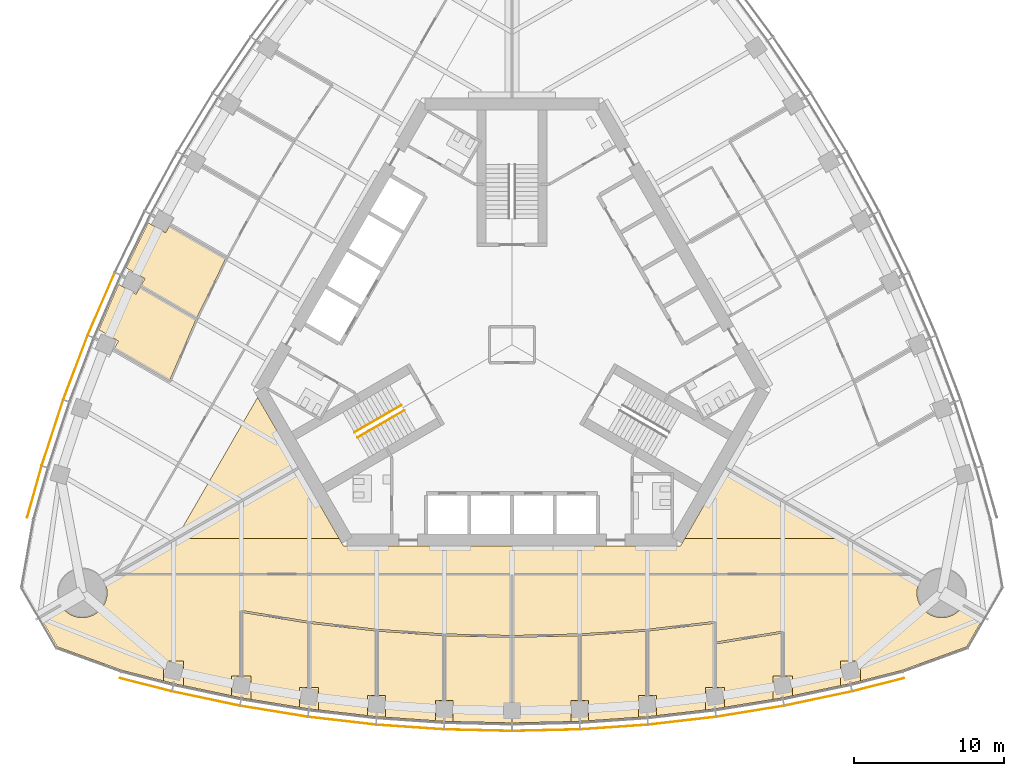
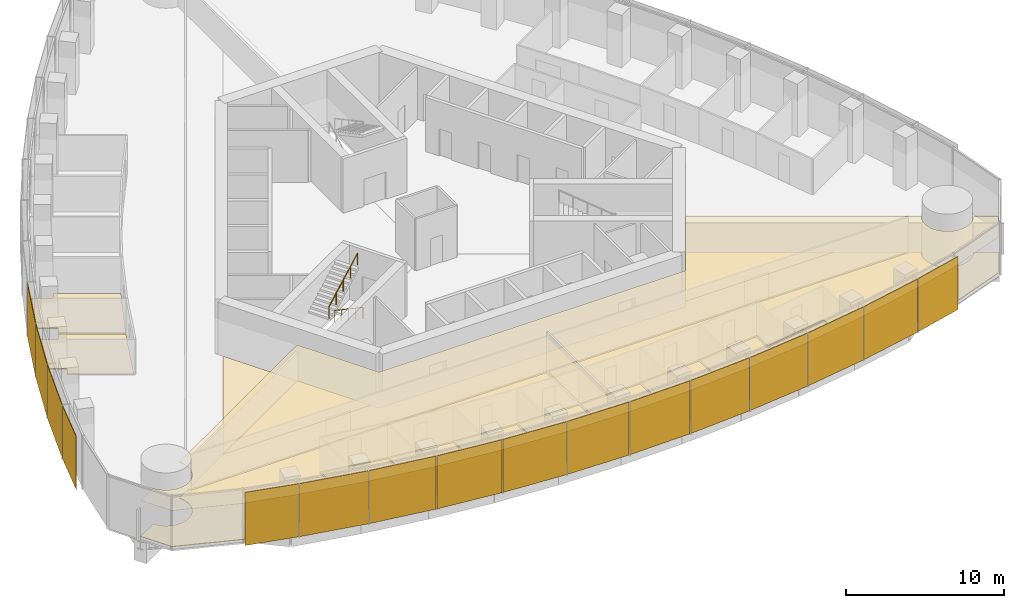
# One storey, part 16 of 20: 17 coverings, 16 shading devices, 2 railings.
"""IFC4 building model written with IfcOpenShell, lengths in metres."""

from ifc_helpers import new_model, si_unit, direction, frame, origin, origin_2d, place, context, subcontext, project, spatial, polyline, rectangle, circle, outline, extrude, material, layer, layer_set, type_object, element, save


model = new_model("IFC4")

# Units and contexts
model_context = context("Model", 3, precision=1e-05, world=origin(), true_north=direction((0.0, 1.0)))
body_context = subcontext(model_context, "Body", "Model", "MODEL_VIEW")
ifc_project = project(units=[si_unit("LENGTHUNIT", "METRE"), si_unit("AREAUNIT", "SQUARE_METRE"), si_unit("VOLUMEUNIT", "CUBIC_METRE"), si_unit("PLANEANGLEUNIT", "RADIAN"), si_unit("MASSUNIT", "GRAM", prefix="KILO")], contexts=[model_context])

# Site, building, storey
site_placement = place(None, origin())
site = spatial("IfcSite", under=ifc_project, at=site_placement, CompositionType="ELEMENT")
building_placement = place(site_placement, origin())
building = spatial("IfcBuilding", under=site, at=building_placement, Name="Trefoil Bronze Tower", CompositionType="ELEMENT")
storey_placement = place(building_placement, frame((0.0, 0.0, 214.89990234375)))
storey = spatial("IfcBuildingStorey", under=building, at=storey_placement, Name="L49", CompositionType="ELEMENT", Elevation=214.89990234375)

# Shading devices
ifc_material_1 = material(Name="Perforated bronze sheet", Category="bronze")
ifc_layer_1 = layer(ifc_material_1, 0.0400390625)
ifc_layer_set_1 = layer_set([ifc_layer_1], Name="Bronze solar screen panel")
shading_device_type = type_object("IfcShadingDeviceType", Name="Bronze solar screen panel", PredefinedType="SHUTTER", material=ifc_layer_set_1)
shading_device_1_placement = place(storey_placement, frame((-24.360107421875, -22.614501953125, 0.050048828125), z_axis=(0.0, 0.0, 1.0), x_axis=(0.968934035393, -0.247319297786, 0.0)))
element("IfcShadingDevice", 1, at=shading_device_1_placement, inside=storey, type_object=shading_device_type, Name="Solar screen CW-A L49 F1 bay 1", PredefinedType="SHUTTER", context=body_context, shape_type="SweptSolid", body=[
    extrude(rectangle(XDim=3.53369140625, YDim=0.0400390625, at=origin_2d()), origin(), (0.0, 0.0, 1.0), 4.10009765625),
])
shading_device_2_placement = place(storey_placement, frame((-20.361572265625, -23.535888671875, 0.050048828125), z_axis=(0.0, 0.0, 1.0), x_axis=(0.978394335897, -0.20674748725, 0.0)))
element("IfcShadingDevice", 2, at=shading_device_2_placement, inside=storey, type_object=shading_device_type, Name="Solar screen CW-A L49 F1 bay 2", PredefinedType="SHUTTER", context=body_context, shape_type="SweptSolid", body=[
    extrude(rectangle(XDim=4.5693359375, YDim=0.0400390625, at=origin_2d()), origin(), (0.0, 0.0, 1.0), 4.10009765625),
])
shading_device_3_placement = place(storey_placement, frame((-15.8369140625, -24.382568359375, 0.050048828125), z_axis=(0.0, 0.0, 1.0), x_axis=(0.986986549528, -0.160802832848, 0.0)))
element("IfcShadingDevice", 3, at=shading_device_3_placement, inside=storey, type_object=shading_device_type, Name="Solar screen CW-A L49 F1 bay 3", PredefinedType="SHUTTER", context=body_context, shape_type="SweptSolid", body=[
    extrude(rectangle(XDim=4.529296875, YDim=0.0400390625, at=origin_2d()), origin(), (0.0, 0.0, 1.0), 4.10009765625),
])
shading_device_4_placement = place(storey_placement, frame((-11.31201171875, -25.0126953125, 0.050048828125), z_axis=(0.0, 0.0, 1.0), x_axis=(0.993381831741, -0.114858767043, 0.0)))
element("IfcShadingDevice", 4, at=shading_device_4_placement, inside=storey, type_object=shading_device_type, Name="Solar screen CW-A L49 F1 bay 4", PredefinedType="SHUTTER", context=body_context, shape_type="SweptSolid", body=[
    extrude(rectangle(XDim=4.5, YDim=0.0400390625, at=origin_2d()), origin(), (0.0, 0.0, 1.0), 4.10009765625),
])
shading_device_5_placement = place(storey_placement, frame((-6.787109375, -25.430419921875, 0.050048828125), z_axis=(0.0, 0.0, 1.0), x_axis=(0.99762252804, -0.068915103905, 0.0)))
element("IfcShadingDevice", 5, at=shading_device_5_placement, inside=storey, type_object=shading_device_type, Name="Solar screen CW-A L49 F1 bay 5", PredefinedType="SHUTTER", context=body_context, shape_type="SweptSolid", body=[
    extrude(rectangle(XDim=4.480712890625, YDim=0.0400390625, at=origin_2d()), origin(), (0.0, 0.0, 1.0), 4.10009765625),
])
for number, where, z_axis, x_axis, name in (
    (6, (-2.262451171875, -25.638671875, 0.050048828125), (0.0, 0.0, 1.0), (0.999736116243, -0.022971675577, 0.0), "Solar screen CW-A L49 F1 bay 6"),
    (7, (2.262451171875, -25.638671875, 0.050048828125), (0.0, 0.0, 1.0), (0.999736116243, 0.022971675577, 0.0), "Solar screen CW-A L49 F1 bay 7"),
):
    element("IfcShadingDevice", number, at=place(storey_placement, frame(where, z_axis=z_axis, x_axis=x_axis)), inside=storey, type_object=shading_device_type, Name=name, PredefinedType="SHUTTER", context=body_context, shape_type="SweptSolid", body=[
        extrude(rectangle(XDim=4.47119140625, YDim=0.0400390625, at=origin_2d()), origin(), (0.0, 0.0, 1.0), 4.10009765625),
    ])
shading_device_6_placement = place(storey_placement, frame((6.787109375, -25.430419921875, 0.050048828125), z_axis=(0.0, 0.0, 1.0), x_axis=(0.99762252804, 0.068915103905, 0.0)))
element("IfcShadingDevice", 8, at=shading_device_6_placement, inside=storey, type_object=shading_device_type, Name="Solar screen CW-A L49 F1 bay 8", PredefinedType="SHUTTER", context=body_context, shape_type="SweptSolid", body=[
    extrude(rectangle(XDim=4.480712890625, YDim=0.0400390625, at=origin_2d()), origin(), (0.0, 0.0, 1.0), 4.10009765625),
])
shading_device_7_placement = place(storey_placement, frame((11.31201171875, -25.0126953125, 0.050048828125), z_axis=(0.0, 0.0, 1.0), x_axis=(0.993381831741, 0.114858767043, 0.0)))
element("IfcShadingDevice", 9, at=shading_device_7_placement, inside=storey, type_object=shading_device_type, Name="Solar screen CW-A L49 F1 bay 9", PredefinedType="SHUTTER", context=body_context, shape_type="SweptSolid", body=[
    extrude(rectangle(XDim=4.5, YDim=0.0400390625, at=origin_2d()), origin(), (0.0, 0.0, 1.0), 4.10009765625),
])
shading_device_8_placement = place(storey_placement, frame((15.8369140625, -24.382568359375, 0.050048828125), z_axis=(0.0, 0.0, 1.0), x_axis=(0.986986549528, 0.160802832848, 0.0)))
element("IfcShadingDevice", 10, at=shading_device_8_placement, inside=storey, type_object=shading_device_type, Name="Solar screen CW-A L49 F1 bay 10", PredefinedType="SHUTTER", context=body_context, shape_type="SweptSolid", body=[
    extrude(rectangle(XDim=4.529296875, YDim=0.0400390625, at=origin_2d()), origin(), (0.0, 0.0, 1.0), 4.10009765625),
])
shading_device_9_placement = place(storey_placement, frame((20.361572265625, -23.535888671875, 0.050048828125), z_axis=(0.0, 0.0, 1.0), x_axis=(0.978394335897, 0.20674748725, 0.0)))
element("IfcShadingDevice", 11, at=shading_device_9_placement, inside=storey, type_object=shading_device_type, Name="Solar screen CW-A L49 F1 bay 11", PredefinedType="SHUTTER", context=body_context, shape_type="SweptSolid", body=[
    extrude(rectangle(XDim=4.5693359375, YDim=0.0400390625, at=origin_2d()), origin(), (0.0, 0.0, 1.0), 4.10009765625),
])
shading_device_10_placement = place(storey_placement, frame((24.360107421875, -22.614501953125, 0.050048828125), z_axis=(0.0, 0.0, 1.0), x_axis=(0.968934035393, 0.247319297786, 0.0)))
element("IfcShadingDevice", 12, at=shading_device_10_placement, inside=storey, type_object=shading_device_type, Name="Solar screen CW-A L49 F1 bay 12", PredefinedType="SHUTTER", context=body_context, shape_type="SweptSolid", body=[
    extrude(rectangle(XDim=3.53369140625, YDim=0.0400390625, at=origin_2d()), origin(), (0.0, 0.0, 1.0), 4.10009765625),
])
shading_device_11_placement = place(storey_placement, frame((-27.317626953125, 2.709716796875, 0.050048828125), z_axis=(0.0, 0.0, 1.0), x_axis=(-0.397220305764, -0.917723285467, 0.0)))
element("IfcShadingDevice", 13, at=shading_device_11_placement, inside=storey, type_object=shading_device_type, Name="Solar screen CW-A L49 F3 bay 9", PredefinedType="SHUTTER", context=body_context, shape_type="SweptSolid", body=[
    extrude(rectangle(XDim=4.5, YDim=0.0400390625, at=origin_2d()), origin(), (0.0, 0.0, 1.0), 4.10009765625),
])
shading_device_12_placement = place(storey_placement, frame((-29.0341796875, -1.52392578125, 0.050048828125), z_axis=(0.0, 0.0, 1.0), x_axis=(-0.354233936517, -0.935156841508, 0.0)))
element("IfcShadingDevice", 14, at=shading_device_12_placement, inside=storey, type_object=shading_device_type, Name="Solar screen CW-A L49 F3 bay 10", PredefinedType="SHUTTER", context=body_context, shape_type="SweptSolid", body=[
    extrude(rectangle(XDim=4.529296875, YDim=0.0400390625, at=origin_2d()), origin(), (0.0, 0.0, 1.0), 4.10009765625),
])
shading_device_13_placement = place(storey_placement, frame((-30.5634765625, -5.86572265625, 0.050048828125), z_axis=(0.0, 0.0, 1.0), x_axis=(-0.310148591821, -0.950688093431, 0.0)))
element("IfcShadingDevice", 15, at=shading_device_13_placement, inside=storey, type_object=shading_device_type, Name="Solar screen CW-A L49 F3 bay 11", PredefinedType="SHUTTER", context=body_context, shape_type="SweptSolid", body=[
    extrude(rectangle(XDim=4.5693359375, YDim=0.0400390625, at=origin_2d()), origin(), (0.0, 0.0, 1.0), 4.10009765625),
])
shading_device_14_placement = place(storey_placement, frame((-31.764892578125, -9.7890625, 0.050048828125), z_axis=(0.0, 0.0, 1.0), x_axis=(-0.270282222968, -0.962781138134, 0.0)))
element("IfcShadingDevice", 16, at=shading_device_14_placement, inside=storey, type_object=shading_device_type, Name="Solar screen CW-A L49 F3 bay 12", PredefinedType="SHUTTER", context=body_context, shape_type="SweptSolid", body=[
    extrude(rectangle(XDim=3.53369140625, YDim=0.0400390625, at=origin_2d()), origin(), (0.0, 0.0, 1.0), 4.10009765625),
])

# Railings
ifc_material_2 = material(Name="Steel handrail", Category="steel")
railing_type = type_object("IfcRailingType", Name="Handrail 900", PredefinedType="HANDRAIL", material=ifc_material_2)
railing_1_placement = place(storey_placement, frame((-7.166015625, -4.3681640625, 0.16162109375)))
element("IfcRailing", 17, at=railing_1_placement, inside=storey, type_object=railing_type, Name="Handrail ST3 flight 1 L49", PredefinedType="HANDRAIL", context=body_context, shape_type="SweptSolid", body=[
    extrude(circle(Radius=0.02392578125, at=origin_2d()), frame((0.0, 0.0, 0.8759765625), z_axis=(-0.76250339821, -0.440245697338, 0.474101564745), x_axis=(0.500012057535, -0.866018442252, 0.0)), (0.0, 0.0, 1.0), 4.088623046875),
    extrude(circle(Radius=0.02099609375, at=origin_2d()), origin(), (0.0, 0.0, 1.0), 0.851806640625),
    extrude(circle(Radius=0.02099609375, at=origin_2d()), frame((-0.779296875, -0.449951171875, 0.484619140625)), (0.0, 0.0, 1.0), 0.851806640625),
    extrude(circle(Radius=0.02099609375, at=origin_2d()), frame((-1.558837890625, -0.89990234375, 0.96923828125)), (0.0, 0.0, 1.0), 0.851806640625),
    extrude(circle(Radius=0.02099609375, at=origin_2d()), frame((-2.33837890625, -1.35009765625, 1.453857421875)), (0.0, 0.0, 1.0), 0.851806640625),
    extrude(circle(Radius=0.02099609375, at=origin_2d()), frame((-3.11767578125, -1.800048828125, 1.9384765625)), (0.0, 0.0, 1.0), 0.851806640625),
])
railing_2_placement = place(storey_placement, frame((-10.483642578125, -5.82177734375, 2.26171875)))
element("IfcRailing", 18, at=railing_2_placement, inside=storey, type_object=railing_type, Name="Handrail ST3 flight 2 L49", PredefinedType="HANDRAIL", context=body_context, shape_type="SweptSolid", body=[
    extrude(circle(Radius=0.02392578125, at=origin_2d()), frame((0.0, 0.0, 0.8759765625), z_axis=(0.76250339821, 0.440245697338, 0.474101564745), x_axis=(-0.500012057535, 0.866018442252, 0.0)), (0.0, 0.0, 1.0), 4.088623046875),
    extrude(circle(Radius=0.02099609375, at=origin_2d()), origin(), (0.0, 0.0, 1.0), 0.851806640625),
    extrude(circle(Radius=0.02099609375, at=origin_2d()), frame((0.779296875, 0.449951171875, 0.484619140625)), (0.0, 0.0, 1.0), 0.851806640625),
    extrude(circle(Radius=0.02099609375, at=origin_2d()), frame((1.558837890625, 0.89990234375, 0.96923828125)), (0.0, 0.0, 1.0), 0.851806640625),
    extrude(circle(Radius=0.02099609375, at=origin_2d()), frame((2.33837890625, 1.35009765625, 1.453857421875)), (0.0, 0.0, 1.0), 0.851806640625),
    extrude(circle(Radius=0.02099609375, at=origin_2d()), frame((3.11767578125, 1.800048828125, 1.9384765625)), (0.0, 0.0, 1.0), 0.851806640625),
])

# Coverings
ifc_material_3 = material(Name="Acoustic ceiling panels", Category="mineral fibre")
ifc_layer_2 = layer(ifc_material_3, 0.02001953125)
ifc_layer_set_2 = layer_set([ifc_layer_2], Name="Office ceiling 20")
covering_type_1 = type_object("IfcCoveringType", Name="Office ceiling 20", PredefinedType="CEILING", material=ifc_layer_set_2)
covering_1_placement = place(storey_placement, frame((0.0, 0.0, 2.900146484375)))
element("IfcCovering", 19, at=covering_1_placement, inside=storey, type_object=covering_type_1, Name="Ceiling L49 Open-plan office F1", PredefinedType="CEILING", context=body_context, shape_type="SweptSolid", body=[
    extrude(outline(polyline([(-29.95068359375, -17.416748046875), (-29.904052734375, -17.48291015625), (-29.854248046875, -17.546630859375), (-29.801513671875, -17.608154296875), (-29.74560546875, -17.666748046875), (-29.68701171875, -17.72265625), (-29.62548828125, -17.775390625), (-29.561767578125, -17.8251953125), (-29.49560546875, -17.871826171875), (-29.427001953125, -17.915283203125), (-29.356689453125, -17.955078125), (-29.2841796875, -17.99169921875), (-29.210205078125, -18.0244140625), (-29.134765625, -18.053466796875), (-29.057861328125, -18.0791015625), (-28.979736328125, -18.1005859375), (-28.900634765625, -18.118408203125), (-28.82080078125, -18.132080078125), (-28.740478515625, -18.14208984375), (-28.659912109375, -18.14794921875), (-28.578857421875, -18.14990234375), (-28.497802734375, -18.14794921875), (-28.4169921875, -18.14208984375), (-28.336669921875, -18.132080078125), (-28.2568359375, -18.118408203125), (-28.177978515625, -18.1005859375), (-28.099853515625, -18.0791015625), (-28.02294921875, -18.053466796875), (-27.947509765625, -18.0244140625), (-27.873291015625, -17.99169921875), (-27.801025390625, -17.955078125), (-27.730712890625, -17.915283203125), (-27.662109375, -17.871826171875), (-27.595947265625, -17.8251953125), (-27.531982421875, -17.775390625), (-27.470703125, -17.72265625), (-27.412109375, -17.666748046875), (-27.356201171875, -17.608154296875), (-27.303466796875, -17.546630859375), (-27.25341796875, -17.48291015625), (-27.206787109375, -17.416748046875), (-27.16357421875, -17.348388671875), (-27.123779296875, -17.27783203125), (-27.08740234375, -17.20556640625), (-27.054443359375, -17.13134765625), (-27.025390625, -17.055908203125), (-27.0, -16.97900390625), (-26.978271484375, -16.90087890625), (-26.96044921875, -16.822021484375), (-26.94677734375, -16.7421875), (-26.936767578125, -16.66162109375), (-26.930908203125, -16.5810546875), (-26.9287109375, -16.5), (-26.930908203125, -16.4189453125), (-26.936767578125, -16.33837890625), (-26.94677734375, -16.2578125), (-26.96044921875, -16.177978515625), (-26.978271484375, -16.09912109375), (-27.0, -16.02099609375), (-27.025390625, -15.944091796875), (-27.054443359375, -15.86865234375), (-27.08740234375, -15.79443359375), (-27.123779296875, -15.72216796875), (-27.14453125, -15.685546875), (-14.19970703125, -8.205322265625), (-11.20068359375, -13.39990234375), (11.20068359375, -13.39990234375), (14.19970703125, -8.205322265625), (27.14453125, -15.685546875), (27.123779296875, -15.72216796875), (27.08740234375, -15.79443359375), (27.054443359375, -15.86865234375), (27.025390625, -15.944091796875), (27.0, -16.02099609375), (26.978271484375, -16.09912109375), (26.96044921875, -16.177978515625), (26.94677734375, -16.2578125), (26.936767578125, -16.33837890625), (26.930908203125, -16.4189453125), (26.9287109375, -16.5), (26.930908203125, -16.5810546875), (26.936767578125, -16.66162109375), (26.94677734375, -16.7421875), (26.96044921875, -16.822021484375), (26.978271484375, -16.90087890625), (27.0, -16.97900390625), (27.025390625, -17.055908203125), (27.054443359375, -17.13134765625), (27.08740234375, -17.20556640625), (27.123779296875, -17.27783203125), (27.16357421875, -17.348388671875), (27.206787109375, -17.416748046875), (27.25341796875, -17.48291015625), (27.303466796875, -17.546630859375), (27.356201171875, -17.608154296875), (27.412109375, -17.666748046875), (27.470703125, -17.72265625), (27.531982421875, -17.775390625), (27.595947265625, -17.8251953125), (27.662109375, -17.871826171875), (27.730712890625, -17.915283203125), (27.801025390625, -17.955078125), (27.873291015625, -17.99169921875), (27.947509765625, -18.0244140625), (28.02294921875, -18.053466796875), (28.099853515625, -18.0791015625), (28.177978515625, -18.1005859375), (28.2568359375, -18.118408203125), (28.336669921875, -18.132080078125), (28.4169921875, -18.14208984375), (28.497802734375, -18.14794921875), (28.578857421875, -18.14990234375), (28.659912109375, -18.14794921875), (28.740478515625, -18.14208984375), (28.82080078125, -18.132080078125), (28.900634765625, -18.118408203125), (28.979736328125, -18.1005859375), (29.057861328125, -18.0791015625), (29.134765625, -18.053466796875), (29.210205078125, -18.0244140625), (29.2841796875, -17.99169921875), (29.356689453125, -17.955078125), (29.427001953125, -17.915283203125), (29.49560546875, -17.871826171875), (29.561767578125, -17.8251953125), (29.62548828125, -17.775390625), (29.68701171875, -17.72265625), (29.74560546875, -17.666748046875), (29.801513671875, -17.608154296875), (29.854248046875, -17.546630859375), (29.904052734375, -17.48291015625), (29.95068359375, -17.416748046875), (30.0009765625, -17.336181640625), (31.37158203125, -18.1279296875), (30.23828125, -20.0908203125), (25.952880859375, -21.650634765625), (22.5, -22.531982421875), (18.0, -23.48291015625), (13.5, -24.216064453125), (9.0, -24.736328125), (4.5, -25.047119140625), (0.0, -25.150634765625), (-4.5, -25.047119140625), (-9.0, -24.736328125), (-13.5, -24.216064453125), (-18.0, -23.48291015625), (-22.5, -22.531982421875), (-25.952880859375, -21.650634765625), (-30.23828125, -20.0908203125), (-31.37158203125, -18.1279296875), (-30.0009765625, -17.336181640625), (-29.95068359375, -17.416748046875)])), origin(), (0.0, 0.0, 1.0), 0.02001953125),
])
ifc_material_4 = material(Name="Raised access floor panels", Category="steel")
ifc_layer_3 = layer(ifc_material_4, 0.050048828125)
ifc_layer_set_3 = layer_set([ifc_layer_3], Name="Raised access floor 150")
covering_type_2 = type_object("IfcCoveringType", Name="Raised access floor 150", PredefinedType="FLOORING", material=ifc_layer_set_3)
covering_2_placement = place(storey_placement, frame((0.0, 0.0, 0.10009765625)))
element("IfcCovering", 20, at=covering_2_placement, inside=storey, type_object=covering_type_2, Name="Raised floor L49 Office F1", PredefinedType="FLOORING", context=body_context, shape_type="SweptSolid", body=[
    extrude(outline(polyline([(-17.93994140625, -22.026123046875), (-17.93994140625, -17.803466796875), (-13.56005859375, -18.51708984375), (-13.56005859375, -22.78662109375), (-14.12158203125, -22.78662109375), (-14.12158203125, -24.11474609375), (-17.357177734375, -23.587646484375), (-17.357177734375, -22.026123046875), (-17.93994140625, -22.026123046875)])), origin(), (0.0, 0.0, 1.0), 0.050048828125),
])
covering_3_placement = place(storey_placement, frame((0.0, 0.0, 0.10009765625)))
element("IfcCovering", 21, at=covering_3_placement, inside=storey, type_object=covering_type_2, Name="Raised floor L49 Office F1", PredefinedType="FLOORING", context=body_context, shape_type="SweptSolid", body=[
    extrude(outline(polyline([(-13.43994140625, -22.78662109375), (-13.43994140625, -18.533447265625), (-9.06005859375, -19.039794921875), (-9.06005859375, -23.333740234375), (-9.599365234375, -23.333740234375), (-9.599365234375, -24.6669921875), (-12.87841796875, -24.2880859375), (-12.87841796875, -22.78662109375), (-13.43994140625, -22.78662109375)])), origin(), (0.0, 0.0, 1.0), 0.050048828125),
])
covering_4_placement = place(storey_placement, frame((0.0, 0.0, 0.10009765625)))
element("IfcCovering", 22, at=covering_4_placement, inside=storey, type_object=covering_type_2, Name="Raised floor L49 Office F1", PredefinedType="FLOORING", context=body_context, shape_type="SweptSolid", body=[
    extrude(outline(polyline([(-8.93994140625, -23.333740234375), (-8.93994140625, -19.05078125), (-4.56005859375, -19.353271484375), (-4.56005859375, -23.665771484375), (-4.5, -23.665771484375), (-4.5, -23.670654296875), (-5.07568359375, -23.670654296875), (-5.07568359375, -25.007568359375), (-8.400634765625, -24.77783203125), (-8.400634765625, -23.333740234375), (-8.93994140625, -23.333740234375)])), origin(), (0.0, 0.0, 1.0), 0.050048828125),
])
covering_5_placement = place(storey_placement, frame((0.0, 0.0, 0.10009765625)))
element("IfcCovering", 23, at=covering_5_placement, inside=storey, type_object=covering_type_2, Name="Raised floor L49 Office F1", PredefinedType="FLOORING", context=body_context, shape_type="SweptSolid", body=[
    extrude(outline(polyline([(-4.5, -23.665771484375), (-4.43994140625, -23.665771484375), (-4.43994140625, -19.358642578125), (-0.074951171875, -19.458984375), (-0.074951171875, -23.7705078125), (0.0, -23.7705078125), (0.0, -25.150634765625), (-3.92431640625, -25.060546875), (-3.92431640625, -23.670654296875), (-4.5, -23.670654296875), (-4.5, -23.665771484375)])), origin(), (0.0, 0.0, 1.0), 0.050048828125),
])
covering_6_placement = place(storey_placement, frame((0.0, 0.0, 0.10009765625)))
element("IfcCovering", 24, at=covering_6_placement, inside=storey, type_object=covering_type_2, Name="Raised floor L49 Office F1", PredefinedType="FLOORING", context=body_context, shape_type="SweptSolid", body=[
    extrude(outline(polyline([(0.0, -23.7705078125), (0.074951171875, -23.7705078125), (0.074951171875, -19.458984375), (4.43994140625, -19.358642578125), (4.43994140625, -23.665771484375), (4.5, -23.665771484375), (4.5, -23.670654296875), (3.92431640625, -23.670654296875), (3.92431640625, -25.060546875), (0.0, -25.150634765625), (0.0, -23.7705078125)])), origin(), (0.0, 0.0, 1.0), 0.050048828125),
])
covering_7_placement = place(storey_placement, frame((0.0, 0.0, 0.10009765625)))
element("IfcCovering", 25, at=covering_7_placement, inside=storey, type_object=covering_type_2, Name="Raised floor L49 Meeting room F1", PredefinedType="FLOORING", context=body_context, shape_type="SweptSolid", body=[
    extrude(outline(polyline([(4.5, -23.665771484375), (4.56005859375, -23.665771484375), (4.56005859375, -19.353271484375), (8.93994140625, -19.05078125), (8.93994140625, -23.333740234375), (8.400634765625, -23.333740234375), (8.400634765625, -24.77783203125), (5.07568359375, -25.007568359375), (5.07568359375, -23.670654296875), (4.5, -23.670654296875), (4.5, -23.665771484375)])), origin(), (0.0, 0.0, 1.0), 0.050048828125),
])
covering_8_placement = place(storey_placement, frame((0.0, 0.0, 0.10009765625)))
element("IfcCovering", 26, at=covering_8_placement, inside=storey, type_object=covering_type_2, Name="Raised floor L49 Meeting room F1", PredefinedType="FLOORING", context=body_context, shape_type="SweptSolid", body=[
    extrude(outline(polyline([(9.06005859375, -19.039794921875), (13.43994140625, -18.533447265625), (13.43994140625, -22.78662109375), (12.87841796875, -22.78662109375), (12.87841796875, -24.2880859375), (9.599365234375, -24.6669921875), (9.599365234375, -23.333740234375), (9.06005859375, -23.333740234375), (9.06005859375, -19.039794921875)])), origin(), (0.0, 0.0, 1.0), 0.050048828125),
])
covering_9_placement = place(storey_placement, frame((0.0, 0.0, 0.10009765625)))
element("IfcCovering", 27, at=covering_9_placement, inside=storey, type_object=covering_type_2, Name="Raised floor L49 Pantry F1", PredefinedType="FLOORING", context=body_context, shape_type="SweptSolid", body=[
    extrude(outline(polyline([(13.56005859375, -19.897216796875), (17.93994140625, -19.18359375), (17.93994140625, -22.026123046875), (17.357177734375, -22.026123046875), (17.357177734375, -23.587646484375), (14.12158203125, -24.11474609375), (14.12158203125, -22.78662109375), (13.56005859375, -22.78662109375), (13.56005859375, -19.897216796875)])), origin(), (0.0, 0.0, 1.0), 0.050048828125),
])
covering_10_placement = place(storey_placement, frame((0.0, 0.0, 0.10009765625)))
element("IfcCovering", 28, at=covering_10_placement, inside=storey, type_object=covering_type_2, Name="Raised floor L49 Corridor F1", PredefinedType="FLOORING", context=body_context, shape_type="SweptSolid", body=[
    extrude(outline(polyline([(26.304443359375, -15.199951171875), (-26.304443359375, -15.199951171875), (-22.32421875, -12.89990234375), (-11.4892578125, -12.89990234375), (-11.20068359375, -13.39990234375), (11.20068359375, -13.39990234375), (11.4892578125, -12.89990234375), (22.32421875, -12.89990234375), (26.304443359375, -15.199951171875)])), origin(), (0.0, 0.0, 1.0), 0.050048828125),
])
covering_11_placement = place(storey_placement, frame((0.0, 0.0, 0.10009765625)))
element("IfcCovering", 29, at=covering_11_placement, inside=storey, type_object=covering_type_2, Name="Raised floor L49 Open-plan office F1", PredefinedType="FLOORING", context=body_context, shape_type="SweptSolid", body=[
    extrude(outline(polyline([(18.06005859375, -19.11279296875), (18.0, -19.11279296875), (17.990478515625, -19.0537109375), (13.56005859375, -19.775390625), (13.56005859375, -18.466064453125), (13.5, -18.466064453125), (13.4931640625, -18.406494140625), (8.994384765625, -18.926513671875), (4.497314453125, -19.2373046875), (0.074951171875, -19.3388671875), (0.074951171875, -15.320068359375), (26.398193359375, -15.320068359375), (26.398193359375, -15.254150390625), (27.14453125, -15.685546875), (27.123779296875, -15.72216796875), (27.08740234375, -15.79443359375), (27.054443359375, -15.86865234375), (27.025390625, -15.944091796875), (27.0, -16.02099609375), (26.978271484375, -16.09912109375), (26.96044921875, -16.177978515625), (26.94677734375, -16.2578125), (26.936767578125, -16.33837890625), (26.930908203125, -16.4189453125), (26.9287109375, -16.5), (26.930908203125, -16.5810546875), (26.936767578125, -16.66162109375), (26.94677734375, -16.7421875), (26.96044921875, -16.822021484375), (26.978271484375, -16.90087890625), (27.0, -16.97900390625), (27.025390625, -17.055908203125), (27.054443359375, -17.13134765625), (27.08740234375, -17.20556640625), (27.123779296875, -17.27783203125), (27.16357421875, -17.348388671875), (27.206787109375, -17.416748046875), (27.25341796875, -17.48291015625), (27.303466796875, -17.546630859375), (27.356201171875, -17.608154296875), (27.412109375, -17.666748046875), (27.470703125, -17.72265625), (27.531982421875, -17.775390625), (27.595947265625, -17.8251953125), (27.662109375, -17.871826171875), (27.730712890625, -17.915283203125), (27.801025390625, -17.955078125), (27.873291015625, -17.99169921875), (27.947509765625, -18.0244140625), (28.02294921875, -18.053466796875), (28.099853515625, -18.0791015625), (28.177978515625, -18.1005859375), (28.2568359375, -18.118408203125), (28.336669921875, -18.132080078125), (28.4169921875, -18.14208984375), (28.497802734375, -18.14794921875), (28.578857421875, -18.14990234375), (28.659912109375, -18.14794921875), (28.740478515625, -18.14208984375), (28.82080078125, -18.132080078125), (28.900634765625, -18.118408203125), (28.979736328125, -18.1005859375), (29.057861328125, -18.0791015625), (29.134765625, -18.053466796875), (29.210205078125, -18.0244140625), (29.2841796875, -17.99169921875), (29.356689453125, -17.955078125), (29.427001953125, -17.915283203125), (29.49560546875, -17.871826171875), (29.561767578125, -17.8251953125), (29.62548828125, -17.775390625), (29.68701171875, -17.72265625), (29.74560546875, -17.666748046875), (29.801513671875, -17.608154296875), (29.854248046875, -17.546630859375), (29.904052734375, -17.48291015625), (29.95068359375, -17.416748046875), (30.0009765625, -17.336181640625), (31.37158203125, -18.1279296875), (30.23828125, -20.0908203125), (25.952880859375, -21.650634765625), (23.16162109375, -22.363037109375), (23.16162109375, -21.048828125), (21.83837890625, -21.048828125), (21.83837890625, -22.671875), (18.642822265625, -23.34716796875), (18.642822265625, -22.026123046875), (18.06005859375, -22.026123046875), (18.06005859375, -19.11279296875)])), origin(), (0.0, 0.0, 1.0), 0.050048828125),
])
covering_12_placement = place(storey_placement, frame((0.0, 0.0, 0.10009765625)))
element("IfcCovering", 30, at=covering_12_placement, inside=storey, type_object=covering_type_2, Name="Raised floor L49 Open-plan office F1", PredefinedType="FLOORING", context=body_context, shape_type="SweptSolid", body=[
    extrude(outline(polyline([(-27.025390625, -15.944091796875), (-27.054443359375, -15.86865234375), (-27.08740234375, -15.79443359375), (-27.123779296875, -15.72216796875), (-27.14453125, -15.685546875), (-26.398193359375, -15.254150390625), (-26.398193359375, -15.320068359375), (-0.074951171875, -15.320068359375), (-0.074951171875, -19.3388671875), (-4.497314453125, -19.2373046875), (-8.994384765625, -18.926513671875), (-13.49169921875, -18.406494140625), (-17.990478515625, -17.673583984375), (-18.0, -17.73291015625), (-18.06005859375, -17.73291015625), (-18.06005859375, -22.026123046875), (-18.642822265625, -22.026123046875), (-18.642822265625, -23.34716796875), (-21.83837890625, -22.671875), (-21.83837890625, -21.048828125), (-23.16162109375, -21.048828125), (-23.16162109375, -22.363037109375), (-25.952880859375, -21.650634765625), (-30.23828125, -20.0908203125), (-31.37158203125, -18.1279296875), (-30.0009765625, -17.336181640625), (-29.95068359375, -17.416748046875), (-29.904052734375, -17.48291015625), (-29.854248046875, -17.546630859375), (-29.801513671875, -17.608154296875), (-29.74560546875, -17.666748046875), (-29.68701171875, -17.72265625), (-29.62548828125, -17.775390625), (-29.561767578125, -17.8251953125), (-29.49560546875, -17.871826171875), (-29.427001953125, -17.915283203125), (-29.356689453125, -17.955078125), (-29.2841796875, -17.99169921875), (-29.210205078125, -18.0244140625), (-29.134765625, -18.053466796875), (-29.057861328125, -18.0791015625), (-28.979736328125, -18.1005859375), (-28.900634765625, -18.118408203125), (-28.82080078125, -18.132080078125), (-28.740478515625, -18.14208984375), (-28.659912109375, -18.14794921875), (-28.578857421875, -18.14990234375), (-28.497802734375, -18.14794921875), (-28.4169921875, -18.14208984375), (-28.336669921875, -18.132080078125), (-28.2568359375, -18.118408203125), (-28.177978515625, -18.1005859375), (-28.099853515625, -18.0791015625), (-28.02294921875, -18.053466796875), (-27.947509765625, -18.0244140625), (-27.873291015625, -17.99169921875), (-27.801025390625, -17.955078125), (-27.730712890625, -17.915283203125), (-27.662109375, -17.871826171875), (-27.595947265625, -17.8251953125), (-27.531982421875, -17.775390625), (-27.470703125, -17.72265625), (-27.412109375, -17.666748046875), (-27.356201171875, -17.608154296875), (-27.303466796875, -17.546630859375), (-27.25341796875, -17.48291015625), (-27.206787109375, -17.416748046875), (-27.16357421875, -17.348388671875), (-27.123779296875, -17.27783203125), (-27.08740234375, -17.20556640625), (-27.054443359375, -17.13134765625), (-27.025390625, -17.055908203125), (-27.0, -16.97900390625), (-26.978271484375, -16.90087890625), (-26.96044921875, -16.822021484375), (-26.94677734375, -16.7421875), (-26.936767578125, -16.66162109375), (-26.930908203125, -16.5810546875), (-26.9287109375, -16.5), (-26.930908203125, -16.4189453125), (-26.936767578125, -16.33837890625), (-26.94677734375, -16.2578125), (-26.96044921875, -16.177978515625), (-26.978271484375, -16.09912109375), (-27.0, -16.02099609375), (-27.025390625, -15.944091796875)])), origin(), (0.0, 0.0, 1.0), 0.050048828125),
])
covering_13_placement = place(storey_placement, frame((0.0, 0.0, 0.10009765625)))
element("IfcCovering", 31, at=covering_13_placement, inside=storey, type_object=covering_type_2, Name="Raised floor L49 Open-plan office F1", PredefinedType="FLOORING", context=body_context, shape_type="SweptSolid", body=[
    extrude(outline(polyline([(14.19970703125, -8.205322265625), (22.32421875, -12.89990234375), (11.4892578125, -12.89990234375), (14.19970703125, -8.205322265625)])), origin(), (0.0, 0.0, 1.0), 0.050048828125),
])
covering_14_placement = place(storey_placement, frame((0.0, 0.0, 0.10009765625)))
element("IfcCovering", 32, at=covering_14_placement, inside=storey, type_object=covering_type_2, Name="Raised floor L49 Open-plan office F1", PredefinedType="FLOORING", context=body_context, shape_type="SweptSolid", body=[
    extrude(outline(polyline([(-22.32421875, -12.89990234375), (-14.19970703125, -8.205322265625), (-11.4892578125, -12.89990234375), (-22.32421875, -12.89990234375)])), origin(), (0.0, 0.0, 1.0), 0.050048828125),
])
covering_15_placement = place(storey_placement, frame((0.0, 0.0, 0.10009765625)))
element("IfcCovering", 33, at=covering_15_placement, inside=storey, type_object=covering_type_2, Name="Raised floor L49 Meeting room F3", PredefinedType="FLOORING", context=body_context, shape_type="SweptSolid", body=[
    extrude(outline(polyline([(-22.7451171875, 7.935791015625), (-22.775146484375, 7.8837890625), (-19.040283203125, 5.7275390625), (-20.968505859375, 1.783203125), (-24.677490234375, 3.924560546875), (-24.407958984375, 4.3916015625), (-25.658447265625, 5.11376953125), (-24.195068359375, 8.10791015625), (-23.037353515625, 7.439697265625), (-22.74951171875, 7.938232421875), (-22.7451171875, 7.935791015625)])), origin(), (0.0, 0.0, 1.0), 0.050048828125),
])
covering_16_placement = place(storey_placement, frame((0.0, 0.0, 0.10009765625)))
element("IfcCovering", 34, at=covering_16_placement, inside=storey, type_object=covering_type_2, Name="Raised floor L49 Meeting room F3", PredefinedType="FLOORING", context=body_context, shape_type="SweptSolid", body=[
    extrude(outline(polyline([(-21.01904296875, 1.673583984375), (-22.7705078125, -2.372802734375), (-26.453857421875, -0.24609375), (-26.173095703125, 0.240478515625), (-27.47314453125, 0.990966796875), (-26.162109375, 4.020263671875), (-25.007080078125, 3.353515625), (-24.737548828125, 3.820556640625), (-21.01904296875, 1.673583984375)])), origin(), (0.0, 0.0, 1.0), 0.050048828125),
])
covering_17_placement = place(storey_placement, frame((0.0, 0.0, 0.10009765625)))
element("IfcCovering", 35, at=covering_17_placement, inside=storey, type_object=covering_type_2, Name="Raised floor L49 Open-plan office F3", PredefinedType="FLOORING", context=body_context, shape_type="SweptSolid", body=[
    extrude(outline(polyline([(-16.91650390625, -3.5), (-14.205810546875, -8.194580078125), (-22.333740234375, -12.88330078125), (-16.91650390625, -3.5)])), origin(), (0.0, 0.0, 1.0), 0.050048828125),
])

save(model, "model.ifc")
